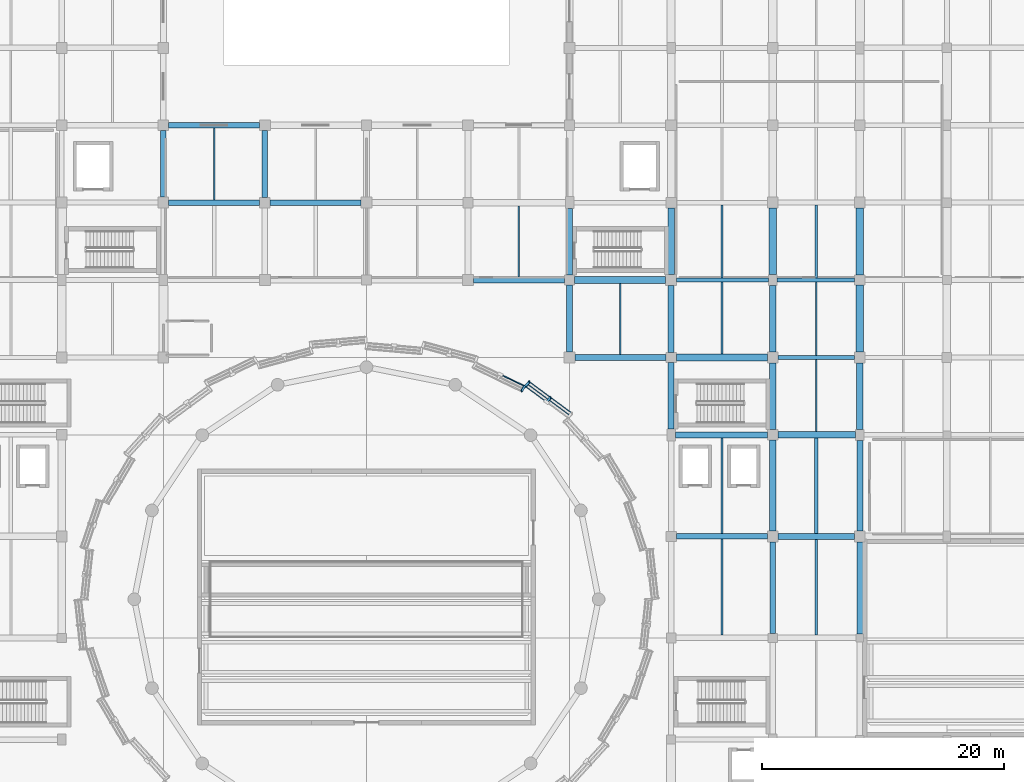
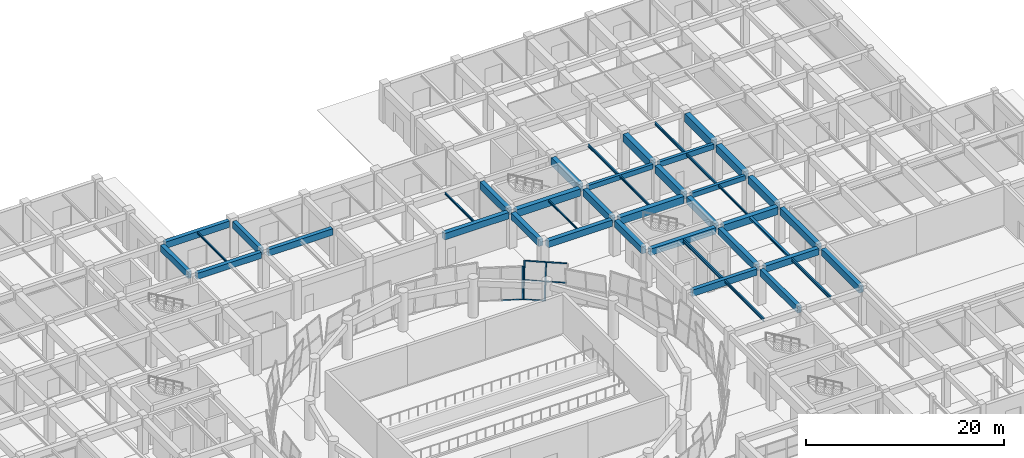
# One storey, part 34 of 72: 43 beams, 9 members, 2 elements without a shape of their own.
"""IFC4 building model written with IfcOpenShell, lengths in metres."""

from ifc_helpers import new_model, si_unit, direction, frame, origin, origin_2d, place, context, subcontext, project, spatial, rectangle, hollow_rectangle, i_section, extrude, material, material_profile, profile_set, type_object, element, aggregate, save


model = new_model("IFC4")

# Units and contexts
model_context = context("Model", 3, precision=1e-05, world=origin(), true_north=direction((0.0, 1.0)))
body_context = subcontext(model_context, "Body", "Model", "MODEL_VIEW")
ifc_project = project(units=[si_unit("LENGTHUNIT", "METRE"), si_unit("AREAUNIT", "SQUARE_METRE"), si_unit("VOLUMEUNIT", "CUBIC_METRE"), si_unit("PLANEANGLEUNIT", "RADIAN"), si_unit("MASSUNIT", "GRAM", prefix="KILO")], contexts=[model_context])

# Site, building, storey
site_placement = place(None, origin())
site = spatial("IfcSite", under=ifc_project, at=site_placement, CompositionType="ELEMENT")
building_placement = place(site_placement, origin())
building = spatial("IfcBuilding", under=site, at=building_placement, Name="Korsvaeld Concert Hall", CompositionType="ELEMENT")
storey_placement = place(building_placement, origin())
storey = spatial("IfcBuildingStorey", under=building, at=storey_placement, Name="L00", CompositionType="ELEMENT", Elevation=0.0)

# Beams
ifc_material_1 = material(Name="Concrete C35/45", Category="concrete")
ifc_material_profile_1 = material_profile(ifc_material_1, rectangle(XDim=0.35009765625, YDim=0.60009765625, at=origin_2d()), Name="RC 350x600")
ifc_profile_set_1 = profile_set([ifc_material_profile_1], Name="Concrete C35/45")
beam_type_1 = type_object("IfcBeamType", Name="BM-RC-350x600", PredefinedType="T_BEAM", material=ifc_profile_set_1)
beam_1_placement = place(storey_placement, frame((118.050048828125, 83.199951171875, 4.139892578125), z_axis=(1.0, 0.0, 0.0), x_axis=(0.0, 1.0, 0.0)))
element("IfcBeam", 1, at=beam_1_placement, inside=storey, type_object=beam_type_1, Name="Primary girder 16-17/M L00", PredefinedType="T_BEAM", context=body_context, shape_type="SweptSolid", body=[
    extrude(rectangle(XDim=0.35009765625, YDim=0.60009765625, at=origin_2d()), origin(), (0.0, 0.0, 1.0), 6.300048828125),
])
beam_2_placement = place(storey_placement, frame((109.64990234375, 89.60009765625, 4.139892578125), z_axis=(1.0, 0.0, 0.0), x_axis=(0.0, 1.0, 0.0)))
element("IfcBeam", 2, at=beam_2_placement, inside=storey, type_object=beam_type_1, Name="Primary girder 15-16/N L00", PredefinedType="T_BEAM", context=body_context, shape_type="SweptSolid", body=[
    extrude(rectangle(XDim=0.35009765625, YDim=0.60009765625, at=origin_2d()), origin(), (0.0, 0.0, 1.0), 7.60009765625),
])
ifc_material_profile_2 = material_profile(ifc_material_1, rectangle(XDim=0.35009765625, YDim=0.64990234375, at=origin_2d()), Name="RC 350x650")
ifc_profile_set_2 = profile_set([ifc_material_profile_2], Name="Concrete C35/45")
beam_type_2 = type_object("IfcBeamType", Name="BM-RC-350x650", PredefinedType="T_BEAM", material=ifc_profile_set_2)
beam_3_placement = place(storey_placement, frame((117.949951171875, 89.60009765625, 4.114990234375), z_axis=(1.0, 0.0, 0.0), x_axis=(0.0, 1.0, 0.0)))
element("IfcBeam", 3, at=beam_3_placement, inside=storey, type_object=beam_type_2, Name="Primary girder 16-17/N L00", PredefinedType="T_BEAM", context=body_context, shape_type="SweptSolid", body=[
    extrude(rectangle(XDim=0.35009765625, YDim=0.64990234375, at=origin_2d()), origin(), (0.0, 0.0, 1.0), 6.425048828125),
])
ifc_material_profile_3 = material_profile(ifc_material_1, rectangle(XDim=0.449951171875, YDim=0.75, at=origin_2d()), Name="RC 450x750")
ifc_profile_set_3 = profile_set([ifc_material_profile_3], Name="Concrete C35/45")
beam_type_3 = type_object("IfcBeamType", Name="BM-RC-450x750", PredefinedType="T_BEAM", material=ifc_profile_set_3)
beam_4_placement = place(storey_placement, frame((67.64990234375, 96.0, 4.06494140625), z_axis=(1.0, 0.0, 0.0), x_axis=(0.0, 1.0, 0.0)))
element("IfcBeam", 4, at=beam_4_placement, inside=storey, type_object=beam_type_3, Name="Primary girder 10-11/P L00", PredefinedType="T_BEAM", context=body_context, shape_type="SweptSolid", body=[
    extrude(rectangle(XDim=0.449951171875, YDim=0.75, at=origin_2d()), origin(), (0.0, 0.0, 1.0), 7.525146484375),
])
ifc_material_profile_4 = material_profile(ifc_material_1, rectangle(XDim=0.449951171875, YDim=0.800048828125, at=origin_2d()), Name="RC 450x800")
ifc_profile_set_4 = profile_set([ifc_material_profile_4], Name="Concrete C35/45")
beam_type_4 = type_object("IfcBeamType", Name="BM-RC-450x800", PredefinedType="T_BEAM", material=ifc_profile_set_4)
beam_5_placement = place(storey_placement, frame((109.625, 68.39990234375, 4.0400390625), z_axis=(1.0, 0.0, 0.0), x_axis=(0.0, 1.0, 0.0)))
element("IfcBeam", 5, at=beam_5_placement, inside=storey, type_object=beam_type_4, Name="Primary girder 15-16/K L00", PredefinedType="T_BEAM", context=body_context, shape_type="SweptSolid", body=[
    extrude(rectangle(XDim=0.449951171875, YDim=0.800048828125, at=origin_2d()), origin(), (0.0, 0.0, 1.0), 7.52490234375),
])
beam_6_placement = place(storey_placement, frame((76.02490234375, 96.0, 4.0400390625), z_axis=(1.0, 0.0, 0.0), x_axis=(0.0, 1.0, 0.0)))
element("IfcBeam", 6, at=beam_6_placement, inside=storey, type_object=beam_type_4, Name="Primary girder 11-12/P L00", PredefinedType="T_BEAM", context=body_context, shape_type="SweptSolid", body=[
    extrude(rectangle(XDim=0.449951171875, YDim=0.800048828125, at=origin_2d()), origin(), (0.0, 0.0, 1.0), 7.525146484375),
])
beam_7_placement = place(storey_placement, frame((67.625, 102.39990234375, 4.0400390625), z_axis=(1.0, 0.0, 0.0), x_axis=(0.0, 1.0, 0.0)))
element("IfcBeam", 7, at=beam_7_placement, inside=storey, type_object=beam_type_4, Name="Primary girder 10-11/Q L00", PredefinedType="T_BEAM", context=body_context, shape_type="SweptSolid", body=[
    extrude(rectangle(XDim=0.449951171875, YDim=0.800048828125, at=origin_2d()), origin(), (0.0, 0.0, 1.0), 7.52490234375),
])
beam_8_placement = place(storey_placement, frame((67.199951171875, 96.449951171875, 4.0400390625), z_axis=(0.0, 1.0, 0.0), x_axis=(-1.0, 0.0, 0.0)))
element("IfcBeam", 8, at=beam_8_placement, inside=storey, type_object=beam_type_4, Name="Primary girder 10/P-Q L00", PredefinedType="T_BEAM", context=body_context, shape_type="SweptSolid", body=[
    extrude(rectangle(XDim=0.449951171875, YDim=0.800048828125, at=origin_2d()), origin(), (0.0, 0.0, 1.0), 5.525146484375),
])
ifc_material_2 = material(Name="Concrete C40/50", Category="concrete")
ifc_material_profile_5 = material_profile(ifc_material_2, rectangle(XDim=0.449951171875, YDim=0.85009765625, at=origin_2d()), Name="RC 450x850")
ifc_profile_set_5 = profile_set([ifc_material_profile_5], Name="Concrete C40/50")
beam_type_5 = type_object("IfcBeamType", Name="BM-RC-450x850", PredefinedType="T_BEAM", material=ifc_profile_set_5)
beam_9_placement = place(storey_placement, frame((75.60009765625, 96.425048828125, 4.014892578125), z_axis=(0.0, 1.0, 0.0), x_axis=(-1.0, 0.0, 0.0)))
element("IfcBeam", 9, at=beam_9_placement, inside=storey, type_object=beam_type_5, Name="Primary girder 11/P-Q L00", PredefinedType="T_BEAM", context=body_context, shape_type="SweptSolid", body=[
    extrude(rectangle(XDim=0.449951171875, YDim=0.85009765625, at=origin_2d()), origin(), (0.0, 0.0, 1.0), 5.52490234375),
])
beam_10_placement = place(storey_placement, frame((117.60009765625, 60.375, 4.014892578125), z_axis=(0.0, 1.0, 0.0), x_axis=(-1.0, 0.0, 0.0)))
element("IfcBeam", 10, at=beam_10_placement, inside=storey, type_object=beam_type_5, Name="Primary girder 16/J-K L00", PredefinedType="T_BEAM", context=body_context, shape_type="SweptSolid", body=[
    extrude(rectangle(XDim=0.449951171875, YDim=0.85009765625, at=origin_2d()), origin(), (0.0, 0.0, 1.0), 7.574951171875),
])
ifc_material_profile_6 = material_profile(ifc_material_2, rectangle(XDim=0.5, YDim=0.800048828125, at=origin_2d()), Name="RC 500x800")
ifc_profile_set_6 = profile_set([ifc_material_profile_6], Name="Concrete C40/50")
beam_type_6 = type_object("IfcBeamType", Name="BM-RC-500x800", PredefinedType="T_BEAM", material=ifc_profile_set_6)
beam_11_placement = place(storey_placement, frame((118.050048828125, 68.39990234375, 4.0400390625), z_axis=(1.0, 0.0, 0.0), x_axis=(0.0, 1.0, 0.0)))
element("IfcBeam", 11, at=beam_11_placement, inside=storey, type_object=beam_type_6, Name="Primary girder 16-17/K L00", PredefinedType="T_BEAM", context=body_context, shape_type="SweptSolid", body=[
    extrude(rectangle(XDim=0.5, YDim=0.800048828125, at=origin_2d()), origin(), (0.0, 0.0, 1.0), 6.300048828125),
])
beam_12_placement = place(storey_placement, frame((109.550048828125, 76.800048828125, 4.0400390625), z_axis=(1.0, 0.0, 0.0), x_axis=(0.0, 1.0, 0.0)))
element("IfcBeam", 12, at=beam_12_placement, inside=storey, type_object=beam_type_6, Name="Primary girder 15-16/L L00", PredefinedType="T_BEAM", context=body_context, shape_type="SweptSolid", body=[
    extrude(rectangle(XDim=0.5, YDim=0.800048828125, at=origin_2d()), origin(), (0.0, 0.0, 1.0), 7.625),
])
for number, where, z_axis, x_axis, name in (
    (13, (101.25, 83.199951171875, 4.0400390625), (1.0, 0.0, 0.0), (0.0, 1.0, 0.0), "Primary girder 14-15/M L00"),
    (14, (92.85009765625, 89.60009765625, 4.0400390625), (1.0, 0.0, 0.0), (0.0, 1.0, 0.0), "Primary girder 13-14/N L00"),
):
    element("IfcBeam", number, at=place(storey_placement, frame(where, z_axis=z_axis, x_axis=x_axis)), inside=storey, type_object=beam_type_6, Name=name, PredefinedType="T_BEAM", context=body_context, shape_type="SweptSolid", body=[
        extrude(rectangle(XDim=0.5, YDim=0.800048828125, at=origin_2d()), origin(), (0.0, 0.0, 1.0), 7.52490234375),
    ])
ifc_material_profile_7 = material_profile(ifc_material_2, rectangle(XDim=0.5, YDim=0.85009765625, at=origin_2d()), Name="RC 500x850")
ifc_profile_set_7 = profile_set([ifc_material_profile_7], Name="Concrete C40/50")
beam_type_7 = type_object("IfcBeamType", Name="BM-RC-500x850", PredefinedType="T_BEAM", material=ifc_profile_set_7)
beam_13_placement = place(storey_placement, frame((100.800048828125, 83.64990234375, 4.014892578125), z_axis=(0.0, 1.0, 0.0), x_axis=(-1.0, 0.0, 0.0)))
element("IfcBeam", 15, at=beam_13_placement, inside=storey, type_object=beam_type_7, Name="Primary girder 14/M-N L00", PredefinedType="T_BEAM", context=body_context, shape_type="SweptSolid", body=[
    extrude(rectangle(XDim=0.5, YDim=0.85009765625, at=origin_2d()), origin(), (0.0, 0.0, 1.0), 5.525146484375),
])
beam_14_placement = place(storey_placement, frame((109.199951171875, 77.300048828125, 4.014892578125), z_axis=(0.0, 1.0, 0.0), x_axis=(-1.0, 0.0, 0.0)))
element("IfcBeam", 16, at=beam_14_placement, inside=storey, type_object=beam_type_7, Name="Primary girder 15/L-M L00", PredefinedType="T_BEAM", context=body_context, shape_type="SweptSolid", body=[
    extrude(rectangle(XDim=0.5, YDim=0.85009765625, at=origin_2d()), origin(), (0.0, 0.0, 1.0), 5.474853515625),
])
beam_15_placement = place(storey_placement, frame((117.60009765625, 68.85009765625, 4.014892578125), z_axis=(0.0, 1.0, 0.0), x_axis=(-1.0, 0.0, 0.0)))
element("IfcBeam", 17, at=beam_15_placement, inside=storey, type_object=beam_type_7, Name="Primary girder 16/K-L L00", PredefinedType="T_BEAM", context=body_context, shape_type="SweptSolid", body=[
    extrude(rectangle(XDim=0.5, YDim=0.85009765625, at=origin_2d()), origin(), (0.0, 0.0, 1.0), 7.52490234375),
])
beam_16_placement = place(storey_placement, frame((124.800048828125, 60.324951171875, 4.014892578125), z_axis=(0.0, 1.0, 0.0), x_axis=(-1.0, 0.0, 0.0)))
element("IfcBeam", 18, at=beam_16_placement, inside=storey, type_object=beam_type_7, Name="Primary girder 17/J-K L00", PredefinedType="T_BEAM", context=body_context, shape_type="SweptSolid", body=[
    extrude(rectangle(XDim=0.5, YDim=0.85009765625, at=origin_2d()), origin(), (0.0, 0.0, 1.0), 7.625),
])
ifc_material_profile_8 = material_profile(ifc_material_2, rectangle(XDim=0.5, YDim=0.89990234375, at=origin_2d()), Name="RC 500x900")
ifc_profile_set_8 = profile_set([ifc_material_profile_8], Name="Concrete C40/50")
beam_type_8 = type_object("IfcBeamType", Name="BM-RC-500x900", PredefinedType="T_BEAM", material=ifc_profile_set_8)
beam_17_placement = place(storey_placement, frame((100.800048828125, 90.02490234375, 3.989990234375), z_axis=(0.0, 1.0, 0.0), x_axis=(-1.0, 0.0, 0.0)))
element("IfcBeam", 19, at=beam_17_placement, inside=storey, type_object=beam_type_8, Name="Primary girder 14/N-P L00", PredefinedType="T_BEAM", context=body_context, shape_type="SweptSolid", body=[
    extrude(rectangle(XDim=0.5, YDim=0.89990234375, at=origin_2d()), origin(), (0.0, 0.0, 1.0), 5.47509765625),
])
for number, where, z_axis, x_axis, name in (
    (20, (109.199951171875, 83.625, 3.989990234375), (0.0, 1.0, 0.0), (-1.0, 0.0, 0.0), "Primary girder 15/M-N L00"),
    (21, (117.60009765625, 77.22509765625, 3.989990234375), (0.0, 1.0, 0.0), (-1.0, 0.0, 0.0), "Primary girder 16/L-M L00"),
):
    element("IfcBeam", number, at=place(storey_placement, frame(where, z_axis=z_axis, x_axis=x_axis)), inside=storey, type_object=beam_type_8, Name=name, PredefinedType="T_BEAM", context=body_context, shape_type="SweptSolid", body=[
        extrude(rectangle(XDim=0.5, YDim=0.89990234375, at=origin_2d()), origin(), (0.0, 0.0, 1.0), 5.52490234375),
    ])
beam_18_placement = place(storey_placement, frame((124.800048828125, 68.85009765625, 3.989990234375), z_axis=(0.0, 1.0, 0.0), x_axis=(-1.0, 0.0, 0.0)))
element("IfcBeam", 22, at=beam_18_placement, inside=storey, type_object=beam_type_8, Name="Primary girder 17/K-L L00", PredefinedType="T_BEAM", context=body_context, shape_type="SweptSolid", body=[
    extrude(rectangle(XDim=0.5, YDim=0.89990234375, at=origin_2d()), origin(), (0.0, 0.0, 1.0), 7.5),
])
ifc_material_profile_9 = material_profile(ifc_material_2, rectangle(XDim=0.550048828125, YDim=0.89990234375, at=origin_2d()), Name="RC 550x900")
ifc_profile_set_9 = profile_set([ifc_material_profile_9], Name="Concrete C40/50")
beam_type_9 = type_object("IfcBeamType", Name="BM-RC-550x900", PredefinedType="T_BEAM", material=ifc_profile_set_9)
beam_19_placement = place(storey_placement, frame((118.02490234375, 76.800048828125, 3.989990234375), z_axis=(1.0, 0.0, 0.0), x_axis=(0.0, 1.0, 0.0)))
element("IfcBeam", 23, at=beam_19_placement, inside=storey, type_object=beam_type_9, Name="Primary girder 16-17/L L00", PredefinedType="T_BEAM", context=body_context, shape_type="SweptSolid", body=[
    extrude(rectangle(XDim=0.550048828125, YDim=0.89990234375, at=origin_2d()), origin(), (0.0, 0.0, 1.0), 6.425048828125),
])
for number, where, z_axis, x_axis, name in (
    (24, (109.625, 83.199951171875, 3.989990234375), (1.0, 0.0, 0.0), (0.0, 1.0, 0.0), "Primary girder 15-16/M L00"),
    (25, (101.22509765625, 89.60009765625, 3.989990234375), (1.0, 0.0, 0.0), (0.0, 1.0, 0.0), "Primary girder 14-15/N L00"),
):
    element("IfcBeam", number, at=place(storey_placement, frame(where, z_axis=z_axis, x_axis=x_axis)), inside=storey, type_object=beam_type_9, Name=name, PredefinedType="T_BEAM", context=body_context, shape_type="SweptSolid", body=[
        extrude(rectangle(XDim=0.550048828125, YDim=0.89990234375, at=origin_2d()), origin(), (0.0, 0.0, 1.0), 7.52490234375),
    ])
ifc_material_profile_10 = material_profile(ifc_material_2, rectangle(XDim=0.550048828125, YDim=0.949951171875, at=origin_2d()), Name="RC 550x950")
ifc_profile_set_10 = profile_set([ifc_material_profile_10], Name="Concrete C40/50")
beam_type_10 = type_object("IfcBeamType", Name="BM-RC-550x950", PredefinedType="T_BEAM", material=ifc_profile_set_10)
beam_20_placement = place(storey_placement, frame((109.199951171875, 90.050048828125, 3.965087890625), z_axis=(0.0, 1.0, 0.0), x_axis=(-1.0, 0.0, 0.0)))
element("IfcBeam", 26, at=beam_20_placement, inside=storey, type_object=beam_type_10, Name="Primary girder 15/N-P L00", PredefinedType="T_BEAM", context=body_context, shape_type="SweptSolid", body=[
    extrude(rectangle(XDim=0.550048828125, YDim=0.949951171875, at=origin_2d()), origin(), (0.0, 0.0, 1.0), 5.52490234375),
])
for number, where, z_axis, x_axis, name in (
    (27, (117.60009765625, 83.64990234375, 3.965087890625), (0.0, 1.0, 0.0), (-1.0, 0.0, 0.0), "Primary girder 16/M-N L00"),
    (28, (124.800048828125, 77.25, 3.965087890625), (0.0, 1.0, 0.0), (-1.0, 0.0, 0.0), "Primary girder 17/L-M L00"),
):
    element("IfcBeam", number, at=place(storey_placement, frame(where, z_axis=z_axis, x_axis=x_axis)), inside=storey, type_object=beam_type_10, Name=name, PredefinedType="T_BEAM", context=body_context, shape_type="SweptSolid", body=[
        extrude(rectangle(XDim=0.550048828125, YDim=0.949951171875, at=origin_2d()), origin(), (0.0, 0.0, 1.0), 5.5),
    ])
ifc_material_profile_11 = material_profile(ifc_material_2, rectangle(XDim=0.60009765625, YDim=1.050048828125, at=origin_2d()), Name="RC 600x1050")
ifc_profile_set_11 = profile_set([ifc_material_profile_11], Name="Concrete C40/50")
beam_type_11 = type_object("IfcBeamType", Name="BM-RC-600x1050", PredefinedType="T_BEAM", material=ifc_profile_set_11)
beam_21_placement = place(storey_placement, frame((124.800048828125, 90.02490234375, 3.9150390625), z_axis=(0.0, 1.0, 0.0), x_axis=(-1.0, 0.0, 0.0)))
element("IfcBeam", 29, at=beam_21_placement, inside=storey, type_object=beam_type_11, Name="Primary girder 17/N-P L00", PredefinedType="T_BEAM", context=body_context, shape_type="SweptSolid", body=[
    extrude(rectangle(XDim=0.60009765625, YDim=1.050048828125, at=origin_2d()), origin(), (0.0, 0.0, 1.0), 5.525146484375),
])
ifc_material_profile_12 = material_profile(ifc_material_2, rectangle(XDim=0.60009765625, YDim=0.949951171875, at=origin_2d()), Name="RC 600x950")
ifc_profile_set_12 = profile_set([ifc_material_profile_12], Name="Concrete C40/50")
beam_type_12 = type_object("IfcBeamType", Name="BM-RC-600x950", PredefinedType="T_BEAM", material=ifc_profile_set_12)
beam_22_placement = place(storey_placement, frame((117.60009765625, 90.050048828125, 3.965087890625), z_axis=(0.0, 1.0, 0.0), x_axis=(-1.0, 0.0, 0.0)))
element("IfcBeam", 30, at=beam_22_placement, inside=storey, type_object=beam_type_12, Name="Primary girder 16/N-P L00", PredefinedType="T_BEAM", context=body_context, shape_type="SweptSolid", body=[
    extrude(rectangle(XDim=0.60009765625, YDim=0.949951171875, at=origin_2d()), origin(), (0.0, 0.0, 1.0), 5.5),
])
beam_23_placement = place(storey_placement, frame((124.800048828125, 83.64990234375, 3.965087890625), z_axis=(0.0, 1.0, 0.0), x_axis=(-1.0, 0.0, 0.0)))
element("IfcBeam", 31, at=beam_23_placement, inside=storey, type_object=beam_type_12, Name="Primary girder 17/M-N L00", PredefinedType="T_BEAM", context=body_context, shape_type="SweptSolid", body=[
    extrude(rectangle(XDim=0.60009765625, YDim=0.949951171875, at=origin_2d()), origin(), (0.0, 0.0, 1.0), 5.525146484375),
])
ifc_material_3 = material(Name="Steel S355J2", Category="steel")
ifc_material_profile_13 = material_profile(ifc_material_3, i_section(OverallWidth=0.280029296875, OverallDepth=0.27001953125, WebThickness=0.008056640625, FlangeThickness=0.012939453125, FilletRadius=0.02392578125, at=origin_2d()), Name="HEA 280")
ifc_profile_set_13 = profile_set([ifc_material_profile_13], Name="Steel S355J2")
beam_type_13 = type_object("IfcBeamType", Name="BM-STL-HEA280", PredefinedType="BEAM", material=ifc_profile_set_13)
beam_24_placement = place(storey_placement, frame((121.199951171875, 68.64990234375, 4.304931640625), z_axis=(0.0, 1.0, 0.0), x_axis=(-1.0, 0.0, 0.0)))
element("IfcBeam", 32, at=beam_24_placement, inside=storey, type_object=beam_type_13, Name="Secondary steel floor beam 16-17/K L00", PredefinedType="BEAM", context=body_context, shape_type="SweptSolid", body=[
    extrude(i_section(OverallWidth=0.280029296875, OverallDepth=0.27001953125, WebThickness=0.008056640625, FlangeThickness=0.012939453125, FilletRadius=0.02392578125, at=origin_2d()), origin(), (0.0, 0.0, 1.0), 7.875),
])
ifc_material_profile_14 = material_profile(ifc_material_3, i_section(OverallWidth=0.1201171875, OverallDepth=0.239990234375, WebThickness=0.006103515625, FlangeThickness=0.009765625, FilletRadius=0.014892578125, at=origin_2d()), Name="IPE 240")
ifc_profile_set_14 = profile_set([ifc_material_profile_14], Name="Steel S355J2")
beam_type_14 = type_object("IfcBeamType", Name="BM-STL-IPE240", PredefinedType="JOIST", material=ifc_profile_set_14)
beam_25_placement = place(storey_placement, frame((71.39990234375, 96.22509765625, 4.320068359375), z_axis=(0.0, 1.0, 0.0), x_axis=(-1.0, 0.0, 0.0)))
element("IfcBeam", 33, at=beam_25_placement, inside=storey, type_object=beam_type_14, Name="Secondary steel floor beam 10-11/P L00", PredefinedType="JOIST", context=body_context, shape_type="SweptSolid", body=[
    extrude(i_section(OverallWidth=0.1201171875, OverallDepth=0.239990234375, WebThickness=0.006103515625, FlangeThickness=0.009765625, FilletRadius=0.014892578125, at=origin_2d()), origin(), (0.0, 0.0, 1.0), 5.949951171875),
])
beam_26_placement = place(storey_placement, frame((105.0, 83.449951171875, 4.320068359375), z_axis=(0.0, 1.0, 0.0), x_axis=(-1.0, 0.0, 0.0)))
element("IfcBeam", 34, at=beam_26_placement, inside=storey, type_object=beam_type_14, Name="Secondary steel floor beam 14-15/M L00", PredefinedType="JOIST", context=body_context, shape_type="SweptSolid", body=[
    extrude(i_section(OverallWidth=0.1201171875, OverallDepth=0.239990234375, WebThickness=0.006103515625, FlangeThickness=0.009765625, FilletRadius=0.014892578125, at=origin_2d()), origin(), (0.0, 0.0, 1.0), 5.875),
])
beam_27_placement = place(storey_placement, frame((121.199951171875, 77.074951171875, 4.320068359375), z_axis=(0.0, 1.0, 0.0), x_axis=(-1.0, 0.0, 0.0)))
element("IfcBeam", 35, at=beam_27_placement, inside=storey, type_object=beam_type_14, Name="Secondary steel floor beam 16-17/L L00", PredefinedType="JOIST", context=body_context, shape_type="SweptSolid", body=[
    extrude(i_section(OverallWidth=0.1201171875, OverallDepth=0.239990234375, WebThickness=0.006103515625, FlangeThickness=0.009765625, FilletRadius=0.014892578125, at=origin_2d()), origin(), (0.0, 0.0, 1.0), 5.949951171875),
])
ifc_material_profile_15 = material_profile(ifc_material_3, i_section(OverallWidth=0.135009765625, OverallDepth=0.27001953125, WebThickness=0.006591796875, FlangeThickness=0.01025390625, FilletRadius=0.014892578125, at=origin_2d()), Name="IPE 270")
ifc_profile_set_15 = profile_set([ifc_material_profile_15], Name="Steel S355J2")
beam_type_15 = type_object("IfcBeamType", Name="BM-STL-IPE270", PredefinedType="JOIST", material=ifc_profile_set_15)
beam_28_placement = place(storey_placement, frame((96.60009765625, 89.85009765625, 4.304931640625), z_axis=(0.0, 1.0, 0.0), x_axis=(-1.0, 0.0, 0.0)))
element("IfcBeam", 36, at=beam_28_placement, inside=storey, type_object=beam_type_15, Name="Secondary steel floor beam 13-14/N L00", PredefinedType="JOIST", context=body_context, shape_type="SweptSolid", body=[
    extrude(i_section(OverallWidth=0.135009765625, OverallDepth=0.27001953125, WebThickness=0.006591796875, FlangeThickness=0.01025390625, FilletRadius=0.014892578125, at=origin_2d()), origin(), (0.0, 0.0, 1.0), 5.875),
])
beam_29_placement = place(storey_placement, frame((113.39990234375, 83.47509765625, 4.304931640625), z_axis=(0.0, 1.0, 0.0), x_axis=(-1.0, 0.0, 0.0)))
element("IfcBeam", 37, at=beam_29_placement, inside=storey, type_object=beam_type_15, Name="Secondary steel floor beam 15-16/M L00", PredefinedType="JOIST", context=body_context, shape_type="SweptSolid", body=[
    extrude(i_section(OverallWidth=0.135009765625, OverallDepth=0.27001953125, WebThickness=0.006591796875, FlangeThickness=0.01025390625, FilletRadius=0.014892578125, at=origin_2d()), origin(), (0.0, 0.0, 1.0), 5.949951171875),
])
ifc_material_profile_16 = material_profile(ifc_material_3, i_section(OverallWidth=0.14990234375, OverallDepth=0.300048828125, WebThickness=0.007080078125, FlangeThickness=0.0107421875, FilletRadius=0.014892578125, at=origin_2d()), Name="IPE 300")
ifc_profile_set_16 = profile_set([ifc_material_profile_16], Name="Steel S355J2")
beam_type_16 = type_object("IfcBeamType", Name="BM-STL-IPE300", PredefinedType="JOIST", material=ifc_profile_set_16)
beam_30_placement = place(storey_placement, frame((121.199951171875, 83.375, 4.2900390625), z_axis=(0.0, 1.0, 0.0), x_axis=(-1.0, 0.0, 0.0)))
element("IfcBeam", 38, at=beam_30_placement, inside=storey, type_object=beam_type_16, Name="Secondary steel floor beam 16-17/M L00", PredefinedType="JOIST", context=body_context, shape_type="SweptSolid", body=[
    extrude(i_section(OverallWidth=0.14990234375, OverallDepth=0.300048828125, WebThickness=0.007080078125, FlangeThickness=0.0107421875, FilletRadius=0.014892578125, at=origin_2d()), origin(), (0.0, 0.0, 1.0), 6.050048828125),
])
ifc_material_profile_17 = material_profile(ifc_material_3, i_section(OverallWidth=0.159912109375, OverallDepth=0.330078125, WebThickness=0.007568359375, FlangeThickness=0.011474609375, FilletRadius=0.01806640625, at=origin_2d()), Name="IPE 330")
ifc_profile_set_17 = profile_set([ifc_material_profile_17], Name="Steel S355J2")
beam_type_17 = type_object("IfcBeamType", Name="BM-STL-IPE330", PredefinedType="BEAM", material=ifc_profile_set_17)
beam_31_placement = place(storey_placement, frame((113.39990234375, 89.77490234375, 4.27490234375), z_axis=(0.0, 1.0, 0.0), x_axis=(-1.0, 0.0, 0.0)))
element("IfcBeam", 39, at=beam_31_placement, inside=storey, type_object=beam_type_17, Name="Secondary steel floor beam 15-16/N L00", PredefinedType="BEAM", context=body_context, shape_type="SweptSolid", body=[
    extrude(i_section(OverallWidth=0.159912109375, OverallDepth=0.330078125, WebThickness=0.007568359375, FlangeThickness=0.011474609375, FilletRadius=0.01806640625, at=origin_2d()), origin(), (0.0, 0.0, 1.0), 6.050048828125),
])
ifc_material_profile_18 = material_profile(ifc_material_3, i_section(OverallWidth=0.169921875, OverallDepth=0.360107421875, WebThickness=0.008056640625, FlangeThickness=0.0126953125, FilletRadius=0.01806640625, at=origin_2d()), Name="IPE 360")
ifc_profile_set_18 = profile_set([ifc_material_profile_18], Name="Steel S355J2")
beam_type_18 = type_object("IfcBeamType", Name="BM-STL-IPE360", PredefinedType="BEAM", material=ifc_profile_set_18)
beam_32_placement = place(storey_placement, frame((113.39990234375, 60.22509765625, 4.260009765625), z_axis=(0.0, 1.0, 0.0), x_axis=(-1.0, 0.0, 0.0)))
element("IfcBeam", 40, at=beam_32_placement, inside=storey, type_object=beam_type_18, Name="Secondary steel floor beam 15-16/J L00", PredefinedType="BEAM", context=body_context, shape_type="SweptSolid", body=[
    extrude(i_section(OverallWidth=0.169921875, OverallDepth=0.360107421875, WebThickness=0.008056640625, FlangeThickness=0.0126953125, FilletRadius=0.01806640625, at=origin_2d()), origin(), (0.0, 0.0, 1.0), 7.949951171875),
])
beam_33_placement = place(storey_placement, frame((121.199951171875, 89.77490234375, 4.260009765625), z_axis=(0.0, 1.0, 0.0), x_axis=(-1.0, 0.0, 0.0)))
element("IfcBeam", 41, at=beam_33_placement, inside=storey, type_object=beam_type_18, Name="Secondary steel floor beam 16-17/N L00", PredefinedType="BEAM", context=body_context, shape_type="SweptSolid", body=[
    extrude(i_section(OverallWidth=0.169921875, OverallDepth=0.360107421875, WebThickness=0.008056640625, FlangeThickness=0.0126953125, FilletRadius=0.01806640625, at=origin_2d()), origin(), (0.0, 0.0, 1.0), 6.025146484375),
])
ifc_material_profile_19 = material_profile(ifc_material_3, i_section(OverallWidth=0.179931640625, OverallDepth=0.39990234375, WebThickness=0.008544921875, FlangeThickness=0.013427734375, FilletRadius=0.02099609375, at=origin_2d()), Name="IPE 400")
ifc_profile_set_19 = profile_set([ifc_material_profile_19], Name="Steel S355J2")
beam_type_19 = type_object("IfcBeamType", Name="BM-STL-IPE400", PredefinedType="BEAM", material=ifc_profile_set_19)
beam_34_placement = place(storey_placement, frame((121.199951171875, 60.22509765625, 4.239990234375), z_axis=(0.0, 1.0, 0.0), x_axis=(-1.0, 0.0, 0.0)))
element("IfcBeam", 42, at=beam_34_placement, inside=storey, type_object=beam_type_19, Name="Secondary steel floor beam 16-17/J L00", PredefinedType="BEAM", context=body_context, shape_type="SweptSolid", body=[
    extrude(i_section(OverallWidth=0.179931640625, OverallDepth=0.39990234375, WebThickness=0.008544921875, FlangeThickness=0.013427734375, FilletRadius=0.02099609375, at=origin_2d()), origin(), (0.0, 0.0, 1.0), 7.9248046875),
])
ifc_material_profile_20 = material_profile(ifc_material_3, i_section(OverallWidth=0.18994140625, OverallDepth=0.449951171875, WebThickness=0.009521484375, FlangeThickness=0.0146484375, FilletRadius=0.02099609375, at=origin_2d()), Name="IPE 450")
ifc_profile_set_20 = profile_set([ifc_material_profile_20], Name="Steel S355J2")
beam_type_20 = type_object("IfcBeamType", Name="BM-STL-IPE450", PredefinedType="BEAM", material=ifc_profile_set_20)
beam_35_placement = place(storey_placement, frame((113.39990234375, 68.625, 4.215087890625), z_axis=(0.0, 1.0, 0.0), x_axis=(-1.0, 0.0, 0.0)))
element("IfcBeam", 43, at=beam_35_placement, inside=storey, type_object=beam_type_20, Name="Secondary steel floor beam 15-16/K L00", PredefinedType="BEAM", context=body_context, shape_type="SweptSolid", body=[
    extrude(i_section(OverallWidth=0.18994140625, OverallDepth=0.449951171875, WebThickness=0.009521484375, FlangeThickness=0.0146484375, FilletRadius=0.02099609375, at=origin_2d()), origin(), (0.0, 0.0, 1.0), 7.925048828125),
])

# Curtain wall, member
ifc_material_4 = material(Name="Anodised bronze and ceramic-fritted safety glass", Category="glass")
curtain_wall_type_1 = type_object("IfcCurtainWallType", Name="CW-TYPE-06", PredefinedType="USERDEFINED", material=ifc_material_4)
curtain_wall_1_placement = place(storey_placement, origin())
curtain_wall_1 = element("IfcCurtainWall", 44, at=curtain_wall_1_placement, inside=storey, type_object=curtain_wall_type_1, Name="Crystal curtain-wall facet L00 F06", ObjectType="CURTAIN WALL", PredefinedType="USERDEFINED")
ifc_material_5 = material(Name="Anodised architectural bronze aluminium", Category="aluminium")
ifc_material_profile_21 = material_profile(ifc_material_5, hollow_rectangle(XDim=0.074951171875, YDim=0.179931640625, WallThickness=0.0048828125, at=origin_2d()), Name="CWM 180x75x5")
ifc_profile_set_21 = profile_set([ifc_material_profile_21], Name="Anodised architectural bronze aluminium")
member_type_1 = type_object("IfcMemberType", Name="CWM-BRONZE-180x75", PredefinedType="MULLION", material=ifc_profile_set_21)
member_1_placement = place(storey_placement, frame((97.07763671875, 80.843505859375, 0.0), z_axis=(-0.057881578452, -0.097299528979, 0.993570593635), x_axis=(-0.829903337454, -0.548492598396, -0.102060374227)))
member_1 = element("IfcMember", 45, at=member_1_placement, type_object=member_type_1, Name="CW-CRYS-L00-F06 crystal mullion 1", PredefinedType="MULLION", context=body_context, shape_type="SweptSolid", body=[
    extrude(hollow_rectangle(XDim=0.074951171875, YDim=0.179931640625, WallThickness=0.0048828125, at=origin_2d()), origin(), (0.0, 0.0, 1.0), 4.509033203125),
])

# Curtain wall, members
curtain_wall_type_2 = type_object("IfcCurtainWallType", Name="CW-TYPE-05", PredefinedType="USERDEFINED", material=ifc_material_4)
curtain_wall_2_placement = place(storey_placement, origin())
curtain_wall_2 = element("IfcCurtainWall", 46, at=curtain_wall_2_placement, inside=storey, type_object=curtain_wall_type_2, Name="Crystal curtain-wall facet L00 F05", ObjectType="CURTAIN WALL", PredefinedType="USERDEFINED")
ifc_material_profile_22 = material_profile(ifc_material_5, hollow_rectangle(XDim=0.074951171875, YDim=0.219970703125, WallThickness=0.006103515625, at=origin_2d()), Name="CWM 220x75x6")
ifc_profile_set_22 = profile_set([ifc_material_profile_22], Name="Anodised architectural bronze aluminium")
member_type_2 = type_object("IfcMemberType", Name="CWM-BRONZE-220x75", PredefinedType="MULLION", material=ifc_profile_set_22)
member_2_placement = place(storey_placement, frame((98.899658203125, 79.509033203125, 0.0), z_axis=(0.076345544466, 0.083546932703, 0.993574993584), x_axis=(0.977534797756, 0.190071839955, -0.091095635634)))
member_2 = element("IfcMember", 47, at=member_2_placement, type_object=member_type_2, Name="CW-CRYS-L00-F05 crystal mullion 2", PredefinedType="MULLION", context=body_context, shape_type="SweptSolid", body=[
    extrude(hollow_rectangle(XDim=0.074951171875, YDim=0.219970703125, WallThickness=0.006103515625, at=origin_2d()), origin(), (0.0, 0.0, 1.0), 4.509033203125),
])
member_3_placement = place(storey_placement, frame((97.1416015625, 80.804931640625, 0.0), z_axis=(0.076345198991, 0.083600700172, 0.99357049751), x_axis=(0.977470985896, 0.190384528217, -0.091127400637)))
member_3 = element("IfcMember", 48, at=member_3_placement, type_object=member_type_2, Name="CW-CRYS-L00-F05 crystal mullion 3", PredefinedType="MULLION", context=body_context, shape_type="SweptSolid", body=[
    extrude(hollow_rectangle(XDim=0.074951171875, YDim=0.219970703125, WallThickness=0.006103515625, at=origin_2d()), origin(), (0.0, 0.0, 1.0), 4.509033203125),
])
ifc_material_profile_23 = material_profile(ifc_material_5, hollow_rectangle(XDim=0.074951171875, YDim=0.14990234375, WallThickness=0.0048828125, at=origin_2d()), Name="CWT 150x75x5")
ifc_profile_set_23 = profile_set([ifc_material_profile_23], Name="Anodised architectural bronze aluminium")
member_type_3 = type_object("IfcMemberType", Name="CWT-BRONZE-150x75", PredefinedType="USERDEFINED", material=ifc_profile_set_23)
member_4_placement = place(storey_placement, frame((100.799560546875, 78.423583984375, 2.239990234375), z_axis=(-0.804945265899, 0.593349070031, 0.0), x_axis=(-0.593349070031, -0.804945265899, 0.0)))
member_4 = element("IfcMember", 49, at=member_4_placement, type_object=member_type_3, Name="CW-CRYS-L00-F05 crystal transom 1.2", ObjectType="TRANSOM", PredefinedType="USERDEFINED", context=body_context, shape_type="SweptSolid", body=[
    extrude(hollow_rectangle(XDim=0.074951171875, YDim=0.14990234375, WallThickness=0.0048828125, at=origin_2d()), origin(), (0.0, 0.0, 1.0), 2.109130859375),
])
member_5_placement = place(storey_placement, frame((100.96923828125, 78.609619140625, 4.449951171875), z_axis=(-0.804904507896, 0.593404358906, 0.0), x_axis=(-0.593404358906, -0.804904507896, 0.0)))
member_5 = element("IfcMember", 50, at=member_5_placement, type_object=member_type_3, Name="CW-CRYS-L00-F05 crystal transom 1.3", ObjectType="TRANSOM", PredefinedType="USERDEFINED", context=body_context, shape_type="SweptSolid", body=[
    extrude(hollow_rectangle(XDim=0.074951171875, YDim=0.14990234375, WallThickness=0.0048828125, at=origin_2d()), origin(), (0.0, 0.0, 1.0), 2.10888671875),
])
member_6_placement = place(storey_placement, frame((98.871826171875, 79.53369140625, 0.030029296875), z_axis=(-0.804945265899, 0.593349070031, 0.0), x_axis=(-0.593349070031, -0.804945265899, 0.0)))
member_6 = element("IfcMember", 51, at=member_6_placement, type_object=member_type_3, Name="CW-CRYS-L00-F05 crystal transom 2.1", ObjectType="TRANSOM", PredefinedType="USERDEFINED", context=body_context, shape_type="SweptSolid", body=[
    extrude(hollow_rectangle(XDim=0.074951171875, YDim=0.14990234375, WallThickness=0.0048828125, at=origin_2d()), origin(), (0.0, 0.0, 1.0), 2.109130859375),
])
member_7_placement = place(storey_placement, frame((99.04150390625, 79.7197265625, 2.239990234375), z_axis=(-0.804904507896, 0.593404358906, 0.0), x_axis=(-0.593404358906, -0.804904507896, 0.0)))
member_7 = element("IfcMember", 52, at=member_7_placement, type_object=member_type_3, Name="CW-CRYS-L00-F05 crystal transom 2.2", ObjectType="TRANSOM", PredefinedType="USERDEFINED", context=body_context, shape_type="SweptSolid", body=[
    extrude(hollow_rectangle(XDim=0.074951171875, YDim=0.14990234375, WallThickness=0.0048828125, at=origin_2d()), origin(), (0.0, 0.0, 1.0), 2.10888671875),
])
member_8_placement = place(storey_placement, frame((99.21142578125, 79.905517578125, 4.449951171875), z_axis=(-0.804904507896, 0.593404358906, 0.0), x_axis=(-0.593404358906, -0.804904507896, 0.0)))
member_8 = element("IfcMember", 53, at=member_8_placement, type_object=member_type_3, Name="CW-CRYS-L00-F05 crystal transom 2.3", ObjectType="TRANSOM", PredefinedType="USERDEFINED", context=body_context, shape_type="SweptSolid", body=[
    extrude(hollow_rectangle(XDim=0.074951171875, YDim=0.14990234375, WallThickness=0.0048828125, at=origin_2d()), origin(), (0.0, 0.0, 1.0), 2.10888671875),
])
aggregate(curtain_wall_2, [member_2, member_3, member_4, member_5, member_6, member_7, member_8])

# Member
member_9_placement = place(storey_placement, frame((97.042236328125, 80.856689453125, 0.030029296875), z_axis=(-0.901464591462, 0.432852850679, 0.0), x_axis=(-0.432852850679, -0.901464591462, 0.0)))
member_9 = element("IfcMember", 54, at=member_9_placement, type_object=member_type_3, Name="CW-CRYS-L00-F06 crystal transom 1.1", ObjectType="TRANSOM", PredefinedType="USERDEFINED", context=body_context, shape_type="SweptSolid", body=[
    extrude(hollow_rectangle(XDim=0.074951171875, YDim=0.14990234375, WallThickness=0.0048828125, at=origin_2d()), origin(), (0.0, 0.0, 1.0), 2.150634765625),
])

aggregate(curtain_wall_1, [member_1, member_9])

save(model, "model.ifc")
